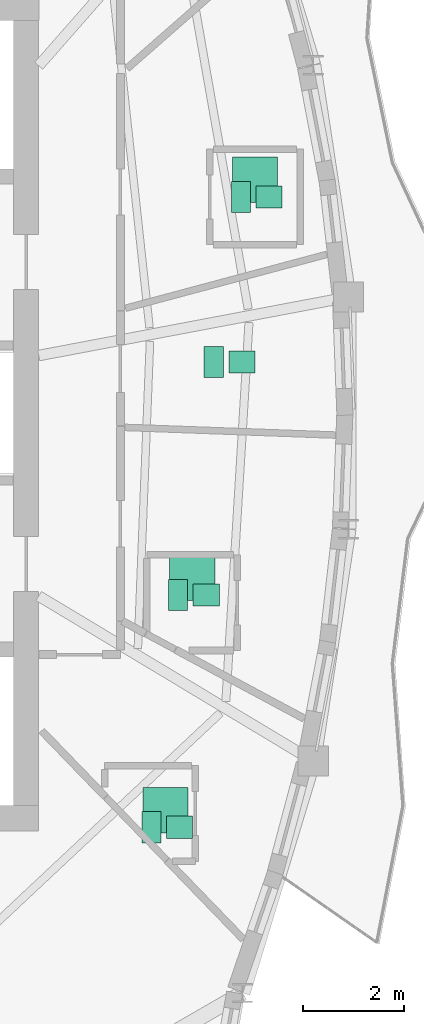
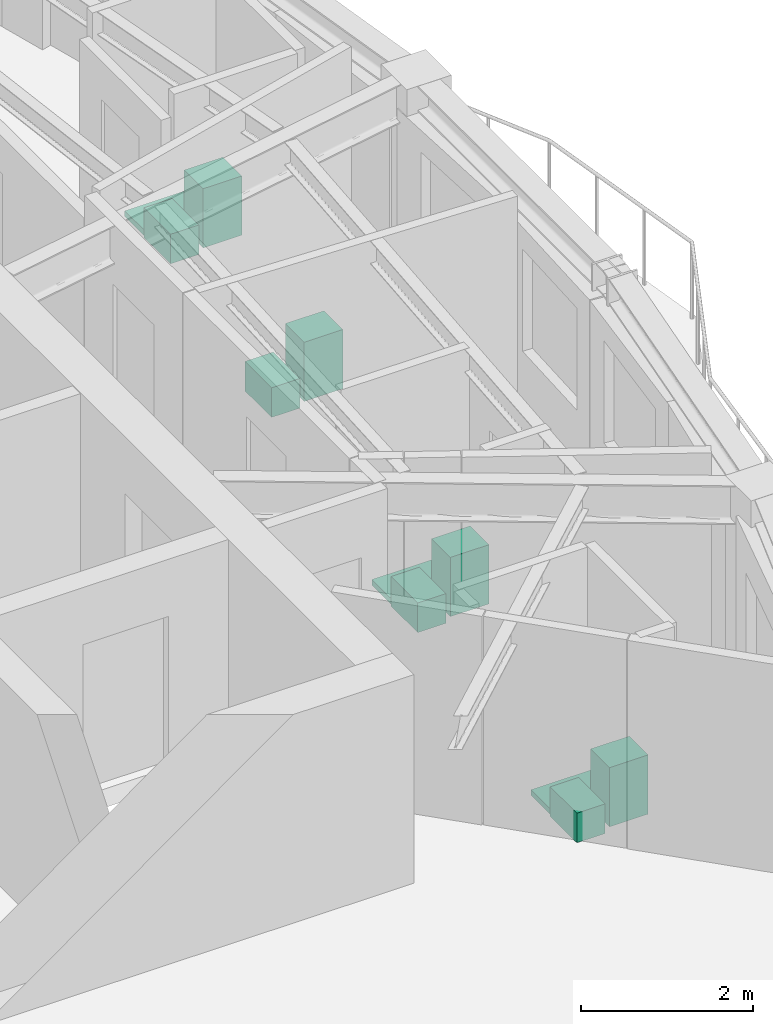
# One storey, part 14 of 14: 11 sanitary terminals.
"""IFC4 building model written with IfcOpenShell, lengths in metres."""

from ifc_helpers import new_model, si_unit, direction, frame, origin, origin_2d, place, context, subcontext, project, spatial, rectangle, extrude, source, transform, mapped, material, type_object, element, save


model = new_model("IFC4")

# Units and contexts
model_context = context("Model", 3, precision=1e-05, world=origin(), true_north=direction((0.0, 1.0)))
body_context = subcontext(model_context, "Body", "Model", "MODEL_VIEW")
ifc_project = project(units=[si_unit("LENGTHUNIT", "METRE"), si_unit("AREAUNIT", "SQUARE_METRE"), si_unit("VOLUMEUNIT", "CUBIC_METRE"), si_unit("PLANEANGLEUNIT", "RADIAN"), si_unit("MASSUNIT", "GRAM", prefix="KILO")], contexts=[model_context])

# Site, building, storey
site_placement = place(None, origin())
site = spatial("IfcSite", under=ifc_project, at=site_placement, CompositionType="ELEMENT")
building_placement = place(site_placement, origin())
building = spatial("IfcBuilding", under=site, at=building_placement, Name="Qafzar Sky-Pleat Residences", CompositionType="ELEMENT")
storey_placement = place(building_placement, frame((0.0, 0.0, 211.60009765625)))
storey = spatial("IfcBuildingStorey", under=building, at=storey_placement, Name="L63", CompositionType="ELEMENT", Elevation=211.60009765625)

# Sanitary terminals
ifc_material_1 = material(Name="Vitreous china sanitaryware")
sanitary_terminal_type_1 = type_object("IfcSanitaryTerminalType", Name="SAN-WC-PAN", PredefinedType="TOILETPAN", material=ifc_material_1)
shared_shape_1 = source(origin(), body_context, "Body", "SweptSolid", [
    extrude(rectangle(XDim=0.3798828125, YDim=0.6201171875, at=origin_2d()), origin(), (0.0, 0.0, 1.0), 0.419921875),
])
for number, where, z_axis, x_axis, name in (
    (1, (38.638916015625, 17.7705078125, 0.0), (0.0, 0.0, 1.0), (1.0, 0.0, 0.0), "L63 En-suite Bathroom 1 WC Pan"),
    (2, (39.1669921875, 22.385498046875, 0.0), (0.0, 0.0, 1.0), (1.0, 0.0, 0.0), "L63 En-suite Bathroom 2 WC Pan"),
    (3, (39.87646484375, 27.011474609375, 0.0), (0.0, 0.0, 1.0), (1.0, 0.0, 0.0), "L63 Accessible Shared Washroom WC Pan"),
    (4, (40.4150390625, 30.2939453125, 0.0), (0.0, 0.0, 1.0), (1.0, 0.0, 0.0), "L63 En-suite Bathroom 3 WC Pan"),
):
    element("IfcSanitaryTerminal", number, at=place(storey_placement, frame(where, z_axis=z_axis, x_axis=x_axis)), inside=storey, type_object=sanitary_terminal_type_1, Name=name, PredefinedType="TOILETPAN", context=body_context, shape_type="MappedRepresentation", body=[
        mapped(shared_shape_1, transform((0.0, 0.0, 0.0), x_axis=(1.0, 0.0, 0.0), y_axis=(0.0, 1.0, 0.0), z_axis=(0.0, 0.0, 1.0), scale=1.0)),
    ])
sanitary_terminal_type_2 = type_object("IfcSanitaryTerminalType", Name="SAN-BASIN", PredefinedType="WASHHANDBASIN", material=ifc_material_1)
shared_shape_2 = source(origin(), body_context, "Body", "SweptSolid", [
    extrude(rectangle(XDim=0.52001953125, YDim=0.43994140625, at=origin_2d()), origin(), (0.0, 0.0, 1.0), 0.840087890625),
])
for number, where, z_axis, x_axis, name in (
    (5, (39.198974609375, 17.7705078125, 0.0), (0.0, 0.0, 1.0), (1.0, 0.0, 0.0), "L63 En-suite Bathroom 1 Pedestal Washbasin"),
    (6, (39.72705078125, 22.385498046875, 0.0), (0.0, 0.0, 1.0), (1.0, 0.0, 0.0), "L63 En-suite Bathroom 2 Pedestal Washbasin"),
    (7, (40.4365234375, 27.011474609375, 0.0), (0.0, 0.0, 1.0), (1.0, 0.0, 0.0), "L63 Accessible Shared Washroom Pedestal Washbasin"),
    (8, (40.97509765625, 30.2939453125, 0.0), (0.0, 0.0, 1.0), (1.0, 0.0, 0.0), "L63 En-suite Bathroom 3 Pedestal Washbasin"),
):
    element("IfcSanitaryTerminal", number, at=place(storey_placement, frame(where, z_axis=z_axis, x_axis=x_axis)), inside=storey, type_object=sanitary_terminal_type_2, Name=name, PredefinedType="WASHHANDBASIN", context=body_context, shape_type="MappedRepresentation", body=[
        mapped(shared_shape_2, transform((0.0, 0.0, 0.0), x_axis=(1.0, 0.0, 0.0), y_axis=(0.0, 1.0, 0.0), z_axis=(0.0, 0.0, 1.0), scale=1.0)),
    ])
ifc_material_2 = material(Name="Vitreous china and acrylic tray")
sanitary_terminal_type_3 = type_object("IfcSanitaryTerminalType", Name="SAN-SHOWER", PredefinedType="SHOWER", material=ifc_material_2)
shared_shape_3 = source(origin(), body_context, "Body", "SweptSolid", [
    extrude(rectangle(XDim=0.89990234375, YDim=0.89990234375, at=origin_2d()), origin(), (0.0, 0.0, 1.0), 0.080078125),
])
for number, where, z_axis, x_axis, name in (
    (9, (38.9189453125, 18.110595703125, -0.000244140625), (0.0, 0.0, 1.0), (1.0, 0.0, 0.0), "L63 En-suite Bathroom 1 Walk-In Shower"),
    (10, (39.447021484375, 22.7255859375, -0.000244140625), (0.0, 0.0, 1.0), (1.0, 0.0, 0.0), "L63 En-suite Bathroom 2 Walk-In Shower"),
    (11, (40.695068359375, 30.634033203125, -0.000244140625), (0.0, 0.0, 1.0), (1.0, 0.0, 0.0), "L63 En-suite Bathroom 3 Walk-In Shower"),
):
    element("IfcSanitaryTerminal", number, at=place(storey_placement, frame(where, z_axis=z_axis, x_axis=x_axis)), inside=storey, type_object=sanitary_terminal_type_3, Name=name, PredefinedType="SHOWER", context=body_context, shape_type="MappedRepresentation", body=[
        mapped(shared_shape_3, transform((0.0, 0.0, 0.0), x_axis=(1.0, 0.0, 0.0), y_axis=(0.0, 1.0, 0.0), z_axis=(0.0, 0.0, 1.0), scale=1.0)),
    ])

save(model, "model.ifc")
